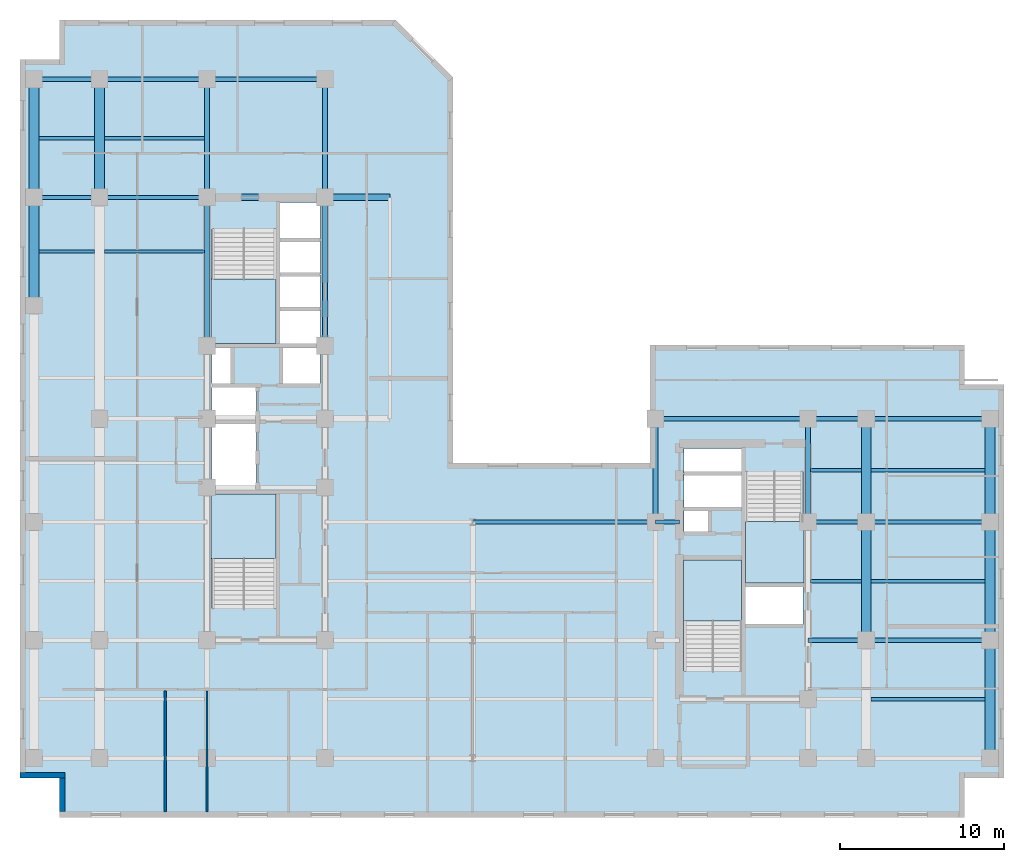
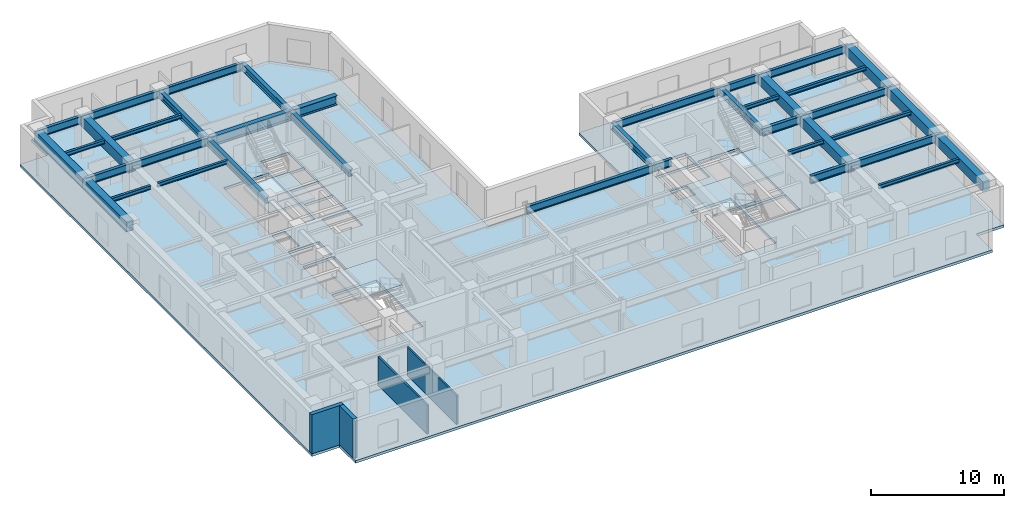
# One storey, part 2 of 10: 38 beams, 5 slabs, 4 walls, 4 elements without a shape of their own.
"""IFC4 building model written with IfcOpenShell, lengths in metres."""

import ifcopenshell
import ifcopenshell.guid

model = None  # the IFC model being written
_history = None  # IfcOwnerHistory: only IFC2X3 demands one
_inside = {}  # id of a spatial element -> (the spatial element, [elements in it])
_under = {}  # id of a project, library or spatial element -> (it, [spatial elements below it])
_declared = {}  # id of a project -> (the project, [libraries it declares])
_typed = {}  # id of a type object -> (the type object, [elements of that type])
_made_of = {}  # id of a material, layer set ... -> (it, [elements and type objects made of it])


def new_model(schema):
    """Start an empty IFC model of exactly this schema.

    Asked for "IFC4X3", IfcOpenShell would pick the latest addendum, in which some entities
    have other attributes; the version numbers below select the first issue.
    IFC2X3 requires an IfcOwnerHistory on every rooted entity: one is made here for all.
    """
    global model, _history
    if schema == "IFC4X3":
        model = ifcopenshell.file(schema_version=(4, 3, 0, 0))
    else:
        model = ifcopenshell.file(schema=schema)
    _inside.clear()
    _under.clear()
    _declared.clear()
    _typed.clear()
    _made_of.clear()
    _history = None
    if model.schema == "IFC2X3":
        org = make("IfcOrganization", Name="unknown")
        user = make(
            "IfcPersonAndOrganization",
            ThePerson=make("IfcPerson", FamilyName="unknown"),
            TheOrganization=org,
        )
        app = make(
            "IfcApplication",
            ApplicationDeveloper=org,
            Version="unknown",
            ApplicationFullName="unknown",
            ApplicationIdentifier="unknown",
        )
        _history = make(
            "IfcOwnerHistory",
            OwningUser=user,
            OwningApplication=app,
            ChangeAction="ADDED",
            CreationDate=0,
        )
    return model


def make(cls, **values):
    """One entity of the class cls with the attributes given. An attribute that is None is left unset."""
    return model.create_entity(
        cls, **{name: value for name, value in values.items() if value is not None}
    )


def entity(cls, *values):
    """Any entity or typed value of the class cls, its attributes in the order of the schema. None: left unset."""
    e = model.create_entity(cls)
    for i, value in enumerate(values):
        if value is not None:
            e[i] = value
    return e


def rooted(cls, **values):
    """An entity with a GlobalId (a new one), such as an element, a storey or a relation."""
    return make(cls, GlobalId=ifcopenshell.guid.new(), OwnerHistory=_history, **values)


def si_unit(unit_type, name, prefix=None):
    """IfcSIUnit, for example si_unit("LENGTHUNIT", "METRE", prefix="MILLI")."""
    return make("IfcSIUnit", UnitType=unit_type, Prefix=prefix, Name=name)


def converted_unit(unit_type, name, factor, base, dimensions=None, offset=None):
    """IfcConversionBasedUnit, such as the inch: factor (a typed value) times the base unit."""
    return make(
        "IfcConversionBasedUnit"
        if offset is None
        else "IfcConversionBasedUnitWithOffset",
        ConversionOffset=offset,
        Dimensions=None
        if dimensions is None
        else entity("IfcDimensionalExponents", *dimensions),
        UnitType=unit_type,
        Name=name,
        ConversionFactor=make(
            "IfcMeasureWithUnit", ValueComponent=factor, UnitComponent=base
        ),
    )


def assignment(units):
    """IfcUnitAssignment: the units of a project."""
    return None if units is None else make("IfcUnitAssignment", Units=units)


def point(xyz):
    """IfcCartesianPoint."""
    return None if xyz is None else make("IfcCartesianPoint", Coordinates=xyz)


def direction(xyz):
    """IfcDirection."""
    return None if xyz is None else make("IfcDirection", DirectionRatios=xyz)


def frame(location, z_axis=None, x_axis=None):
    """IfcAxis2Placement3D, a coordinate frame: its origin and axes. An axis left out is left unset."""
    return make(
        "IfcAxis2Placement3D",
        Location=point(location),
        Axis=direction(z_axis),
        RefDirection=direction(x_axis),
    )


def frame_2d(location, x_axis=None):
    """IfcAxis2Placement2D, a coordinate frame in the plane: its origin and x axis."""
    return make(
        "IfcAxis2Placement2D", Location=point(location), RefDirection=direction(x_axis)
    )


def origin_with_axes():
    """The frame at (0, 0, 0) with the z axis (0, 0, 1) and the x axis (1, 0, 0) written out."""
    return frame((0.0, 0.0, 0.0), z_axis=(0.0, 0.0, 1.0), x_axis=(1.0, 0.0, 0.0))


def origin_2d_with_axis():
    """The frame at (0, 0) in the plane with the x axis (1, 0) written out."""
    return frame_2d((0.0, 0.0), x_axis=(1.0, 0.0))


def place(relative_to, where):
    """IfcLocalPlacement: puts the frame where relative to a parent placement (None: the world)."""
    return make(
        "IfcLocalPlacement", PlacementRelTo=relative_to, RelativePlacement=where
    )


def context(
    kind, dimensions, precision=None, world=None, true_north=None, identifier=None
):
    """IfcGeometricRepresentationContext, for example the 3D "Model" context."""
    return make(
        "IfcGeometricRepresentationContext",
        ContextIdentifier=identifier,
        ContextType=kind,
        CoordinateSpaceDimension=dimensions,
        Precision=precision,
        WorldCoordinateSystem=world,
        TrueNorth=true_north,
    )


def subcontext(parent, identifier, kind, view, scale=None):
    """IfcGeometricRepresentationSubContext, for example "Body" below "Model"."""
    return make(
        "IfcGeometricRepresentationSubContext",
        ContextIdentifier=identifier,
        ContextType=kind,
        ParentContext=parent,
        TargetScale=scale,
        TargetView=view,
    )


def project(units=None, contexts=None):
    """IfcProject with its units and contexts."""
    return rooted(
        "IfcProject",
        Name="project",
        RepresentationContexts=contexts,
        UnitsInContext=assignment(units),
    )


def spatial(cls, under=None, at=None, **own):
    """A site, building, storey or space (cls), placed at a placement, below another one or the project."""
    s = rooted(cls, ObjectPlacement=at, **own)
    if under is not None:
        _under.setdefault(under.id(), (under, []))[1].append(s)
    return s


def polyline(points):
    """IfcPolyline through the points."""
    return make("IfcPolyline", Points=[point(p) for p in points])


def profile(cls, at=None, kind="AREA", **sizes):
    """A parametric profile (cls). Its sizes go by their IFC names, for example OverallWidth=200.0."""
    return make(cls, ProfileType=kind, Position=at, **sizes)


def rectangle(**sizes):
    """IfcRectangleProfileDef."""
    return profile("IfcRectangleProfileDef", **sizes)


def i_section(**sizes):
    """IfcIShapeProfileDef."""
    return profile("IfcIShapeProfileDef", **sizes)


def outline(outer, holes=None, kind="AREA"):
    """IfcArbitraryClosedProfileDef: a profile drawn as a closed curve; with holes, ...WithVoids."""
    if holes is None:
        return make("IfcArbitraryClosedProfileDef", ProfileType=kind, OuterCurve=outer)
    return make(
        "IfcArbitraryProfileDefWithVoids",
        ProfileType=kind,
        OuterCurve=outer,
        InnerCurves=holes,
    )


def extrude(swept, where, along, depth):
    """IfcExtrudedAreaSolid: the profile swept, set in the frame where, extruded along a direction by depth."""
    return make(
        "IfcExtrudedAreaSolid",
        SweptArea=swept,
        Position=where,
        ExtrudedDirection=direction(along),
        Depth=depth,
    )


def shape(context_of_items, identifier, shape_type, items):
    """IfcShapeRepresentation: the items that make up one representation, for example the "Body"."""
    return make(
        "IfcShapeRepresentation",
        ContextOfItems=context_of_items,
        RepresentationIdentifier=identifier,
        RepresentationType=shape_type,
        Items=items,
    )


def material(Name=None, Category=None):
    """IfcMaterial."""
    return make("IfcMaterial", Name=Name, Category=Category)


def layer(
    of_material, thickness, ventilated=None, Name=None, Category=None, Priority=None
):
    """IfcMaterialLayer: one layer of a wall or slab, of a material (None: an air gap)."""
    return make(
        "IfcMaterialLayer",
        Material=of_material,
        LayerThickness=thickness,
        IsVentilated=ventilated,
        Name=Name,
        Category=Category,
        Priority=Priority,
    )


def layer_set(layers, Name=None):
    """IfcMaterialLayerSet."""
    return make("IfcMaterialLayerSet", MaterialLayers=layers, LayerSetName=Name)


def material_profile(
    of_material, cross_section, Name=None, Category=None, Priority=None
):
    """IfcMaterialProfile: a cross section and its material."""
    return make(
        "IfcMaterialProfile",
        Name=Name,
        Material=of_material,
        Profile=cross_section,
        Priority=Priority,
        Category=Category,
    )


def profile_set(profiles, Name=None, composite=None):
    """IfcMaterialProfileSet."""
    return make(
        "IfcMaterialProfileSet",
        Name=Name,
        MaterialProfiles=profiles,
        CompositeProfile=composite,
    )


def made_of(thing, what):
    """Note that an element or type object is made of a material, layer set ...; save() writes the relation."""
    if what is not None:
        _made_of.setdefault(what.id(), (what, []))[1].append(thing)
    return thing


def type_object(cls, material=None, **own):
    """A type object (cls), such as IfcWallType, which elements share."""
    return made_of(rooted(cls, **own), material)


def element(
    cls,
    number,
    at=None,
    inside=None,
    cuts=None,
    type_object=None,
    material=None,
    context=None,
    identifier="Body",
    shape_type=None,
    held_by="IfcProductDefinitionShape",
    body=None,
    shapes=None,
    **own,
):
    """One element of the class cls, such as IfcWall. Its Tag is "e" and its number.

    at: its placement. inside: the storey or other place that contains it. cuts: it is an
    opening in that element (IfcRelVoidsElement). A single representation is given by context,
    identifier, shape_type and body (its items); several are given by shapes. held_by: the class
    of the entity that holds the representations. save() writes the other relations.
    """
    e = rooted(cls, Tag="e%d" % number, ObjectPlacement=at, **own)
    if body is not None:
        shapes = [shape(context, identifier, shape_type, body)]
    if shapes is not None:
        e.Representation = make(held_by, Representations=shapes)
    if inside is not None:
        _inside.setdefault(inside.id(), (inside, []))[1].append(e)
    if cuts is not None:
        rooted(
            "IfcRelVoidsElement", RelatingBuildingElement=cuts, RelatedOpeningElement=e
        )
    if type_object is not None:
        _typed.setdefault(type_object.id(), (type_object, []))[1].append(e)
    return made_of(e, material)


def aggregate(whole, parts):
    """IfcRelAggregates: a whole, such as a stair, and the parts it consists of."""
    return rooted("IfcRelAggregates", RelatingObject=whole, RelatedObjects=parts)


def save(model, path):
    """Write the relations noted so far, then the file.

    IfcRelAggregates (storeys below a building ...), IfcRelContainedInSpatialStructure (elements
    in a storey), IfcRelDefinesByType, IfcRelAssociatesMaterial and IfcRelDeclares: one each for
    every whole, place, type object, material and project.
    """
    for whole, parts in _under.values():
        aggregate(whole, parts)
    for where, things in _inside.values():
        rooted(
            "IfcRelContainedInSpatialStructure",
            RelatedElements=things,
            RelatingStructure=where,
        )
    for kind, things in _typed.values():
        rooted("IfcRelDefinesByType", RelatedObjects=things, RelatingType=kind)
    for what, things in _made_of.values():
        rooted("IfcRelAssociatesMaterial", RelatedObjects=things, RelatingMaterial=what)
    for by, libraries in _declared.values():
        rooted("IfcRelDeclares", RelatingContext=by, RelatedDefinitions=libraries)
    model.write(path)


model = new_model("IFC4")

# Units and contexts
model_context = context("Model", 3, precision=1e-05, world=origin_with_axes(), true_north=direction((0.0, 1.0)))
body_context = subcontext(model_context, "Body", "Model", "MODEL_VIEW")
ifc_project = project(units=[si_unit("LENGTHUNIT", "METRE"), si_unit("AREAUNIT", "SQUARE_METRE"), si_unit("VOLUMEUNIT", "CUBIC_METRE"), converted_unit("PLANEANGLEUNIT", "DEGREE", entity("IfcPlaneAngleMeasure", 0.017453292519943295), si_unit("PLANEANGLEUNIT", "RADIAN"), dimensions=[0, 0, 0, 0, 0, 0, 0]), si_unit("MASSUNIT", "GRAM", prefix="KILO"), si_unit("THERMODYNAMICTEMPERATUREUNIT", "KELVIN")], contexts=[model_context])

# Site, building, storey
site_placement = place(None, origin_with_axes())
site = spatial("IfcSite", under=ifc_project, at=site_placement, CompositionType="ELEMENT")
building_placement = place(site_placement, origin_with_axes())
building = spatial("IfcBuilding", under=site, at=building_placement, Name="Varnlund Millrace Tower", CompositionType="ELEMENT")
storey_placement = place(building_placement, frame((0.0, 0.0, 183.6), z_axis=(0.0, 0.0, 1.0), x_axis=(1.0, 0.0, 0.0)))
storey = spatial("IfcBuildingStorey", under=building, at=storey_placement, Name="L45", CompositionType="ELEMENT", Elevation=183.6)

# Beams
ifc_material_1 = material(Name="Steel ASTM A992 Grade 50", Category="steel")
ifc_material_profile_1 = material_profile(ifc_material_1, i_section(OverallWidth=0.328, OverallDepth=0.628, WebThickness=0.0165, FlangeThickness=0.0277, FilletRadius=0.018, at=origin_2d_with_axis()), Name="Steel ASTM A992 Grade 50")
ifc_profile_set_1 = profile_set([ifc_material_profile_1], Name="Steel ASTM A992 Grade 50")
beam_type_1 = type_object("IfcBeamType", Name="Type-Girder-W24X146", PredefinedType="USERDEFINED", material=ifc_profile_set_1)
beam_1_placement = place(storey_placement, frame((11.4, 28.75, 3.286), z_axis=(0.0, 1.0, 0.0), x_axis=(-1.0, 0.0, 0.0)))
element("IfcBeam", 1, at=beam_1_placement, inside=storey, type_object=beam_type_1, Name="Type-Girder-W24X146", ObjectType="GIRDER", PredefinedType="USERDEFINED", context=body_context, shape_type="SweptSolid", body=[
    extrude(i_section(OverallWidth=0.328, OverallDepth=0.628, WebThickness=0.0165, FlangeThickness=0.0277, FilletRadius=0.018, at=origin_2d_with_axis()), origin_with_axes(), (0.0, 0.0, 1.0), 9.05),
])
beam_2_placement = place(storey_placement, frame((11.4, 37.8, 3.286), z_axis=(0.0, 1.0, 0.0), x_axis=(-1.0, 0.0, 0.0)))
element("IfcBeam", 2, at=beam_2_placement, inside=storey, type_object=beam_type_1, Name="Type-Girder-W24X146", ObjectType="GIRDER", PredefinedType="USERDEFINED", context=body_context, shape_type="SweptSolid", body=[
    extrude(i_section(OverallWidth=0.328, OverallDepth=0.628, WebThickness=0.0165, FlangeThickness=0.0277, FilletRadius=0.018, at=origin_2d_with_axis()), origin_with_axes(), (0.0, 0.0, 1.0), 7.2),
])
beam_3_placement = place(storey_placement, frame((18.6, 28.75, 3.286), z_axis=(0.0, 1.0, 0.0), x_axis=(-1.0, 0.0, 0.0)))
element("IfcBeam", 3, at=beam_3_placement, inside=storey, type_object=beam_type_1, Name="Type-Girder-W24X146", ObjectType="GIRDER", PredefinedType="USERDEFINED", context=body_context, shape_type="SweptSolid", body=[
    extrude(i_section(OverallWidth=0.328, OverallDepth=0.628, WebThickness=0.0165, FlangeThickness=0.0277, FilletRadius=0.018, at=origin_2d_with_axis()), origin_with_axes(), (0.0, 0.0, 1.0), 9.05),
])
beam_4_placement = place(storey_placement, frame((18.6, 37.8, 3.286), z_axis=(0.0, 1.0, 0.0), x_axis=(-1.0, 0.0, 0.0)))
element("IfcBeam", 4, at=beam_4_placement, inside=storey, type_object=beam_type_1, Name="Type-Girder-W24X146", ObjectType="GIRDER", PredefinedType="USERDEFINED", context=body_context, shape_type="SweptSolid", body=[
    extrude(i_section(OverallWidth=0.328, OverallDepth=0.628, WebThickness=0.0165, FlangeThickness=0.0277, FilletRadius=0.018, at=origin_2d_with_axis()), origin_with_axes(), (0.0, 0.0, 1.0), 7.2),
])
for number, where, z_axis, x_axis, name in (
    (5, (38.75, 18.0, 3.286), (0.0, 1.0, 0.0), (-1.0, 0.0, 0.0), "Type-Girder-W24X146"),
    (6, (48.05, 18.0, 3.286), (0.0, 1.0, 0.0), (-1.0, 0.0, 0.0), "Type-Girder-W24X146"),
):
    element("IfcBeam", number, at=place(storey_placement, frame(where, z_axis=z_axis, x_axis=x_axis)), inside=storey, type_object=beam_type_1, Name=name, ObjectType="GIRDER", PredefinedType="USERDEFINED", context=body_context, shape_type="SweptSolid", body=[
        extrude(i_section(OverallWidth=0.328, OverallDepth=0.628, WebThickness=0.0165, FlangeThickness=0.0277, FilletRadius=0.018, at=origin_2d_with_axis()), origin_with_axes(), (0.0, 0.0, 1.0), 6.3),
    ])
ifc_material_profile_2 = material_profile(ifc_material_1, i_section(OverallWidth=0.256, OverallDepth=0.693, WebThickness=0.0145, FlangeThickness=0.0236, FilletRadius=0.018, at=origin_2d_with_axis()), Name="Steel ASTM A992 Grade 50")
ifc_profile_set_2 = profile_set([ifc_material_profile_2], Name="Steel ASTM A992 Grade 50")
beam_type_2 = type_object("IfcBeamType", Name="Type-Girder-W27X114", PredefinedType="USERDEFINED", material=ifc_profile_set_2)
beam_5_placement = place(storey_placement, frame((48.05, 10.8, 3.2535), z_axis=(1.0, 0.0, 0.0), x_axis=(0.0, 1.0, 0.0)))
element("IfcBeam", 7, at=beam_5_placement, inside=storey, type_object=beam_type_2, Name="Type-Girder-W27X114", ObjectType="GIRDER", PredefinedType="USERDEFINED", context=body_context, shape_type="SweptSolid", body=[
    extrude(i_section(OverallWidth=0.256, OverallDepth=0.693, WebThickness=0.0145, FlangeThickness=0.0236, FilletRadius=0.018, at=origin_2d_with_axis()), origin_with_axes(), (0.0, 0.0, 1.0), 3.55),
])
beam_6_placement = place(storey_placement, frame((51.6, 10.8, 3.2535), z_axis=(1.0, 0.0, 0.0), x_axis=(0.0, 1.0, 0.0)))
element("IfcBeam", 8, at=beam_6_placement, inside=storey, type_object=beam_type_2, Name="Type-Girder-W27X114", ObjectType="GIRDER", PredefinedType="USERDEFINED", context=body_context, shape_type="SweptSolid", body=[
    extrude(i_section(OverallWidth=0.256, OverallDepth=0.693, WebThickness=0.0145, FlangeThickness=0.0236, FilletRadius=0.018, at=origin_2d_with_axis()), origin_with_axes(), (0.0, 0.0, 1.0), 7.55),
])
beam_7_placement = place(storey_placement, frame((27.6, 18.0, 3.2535), z_axis=(1.0, 0.0, 0.0), x_axis=(0.0, 1.0, 0.0)))
element("IfcBeam", 9, at=beam_7_placement, inside=storey, type_object=beam_type_2, Name="Type-Girder-W27X114", ObjectType="GIRDER", PredefinedType="USERDEFINED", context=body_context, shape_type="SweptSolid", body=[
    extrude(i_section(OverallWidth=0.256, OverallDepth=0.693, WebThickness=0.0145, FlangeThickness=0.0236, FilletRadius=0.018, at=origin_2d_with_axis()), origin_with_axes(), (0.0, 0.0, 1.0), 11.15),
])
beam_8_placement = place(storey_placement, frame((38.75, 18.0, 3.2535), z_axis=(1.0, 0.0, 0.0), x_axis=(0.0, 1.0, 0.0)))
element("IfcBeam", 10, at=beam_8_placement, inside=storey, type_object=beam_type_2, Name="Type-Girder-W27X114", ObjectType="GIRDER", PredefinedType="USERDEFINED", context=body_context, shape_type="SweptSolid", body=[
    extrude(i_section(OverallWidth=0.256, OverallDepth=0.693, WebThickness=0.0145, FlangeThickness=0.0236, FilletRadius=0.018, at=origin_2d_with_axis()), origin_with_axes(), (0.0, 0.0, 1.0), 1.45),
])
beam_9_placement = place(storey_placement, frame((48.05, 18.0, 3.2535), z_axis=(1.0, 0.0, 0.0), x_axis=(0.0, 1.0, 0.0)))
element("IfcBeam", 11, at=beam_9_placement, inside=storey, type_object=beam_type_2, Name="Type-Girder-W27X114", ObjectType="GIRDER", PredefinedType="USERDEFINED", context=body_context, shape_type="SweptSolid", body=[
    extrude(i_section(OverallWidth=0.256, OverallDepth=0.693, WebThickness=0.0145, FlangeThickness=0.0236, FilletRadius=0.018, at=origin_2d_with_axis()), origin_with_axes(), (0.0, 0.0, 1.0), 3.55),
])
beam_10_placement = place(storey_placement, frame((51.6, 18.0, 3.2535), z_axis=(1.0, 0.0, 0.0), x_axis=(0.0, 1.0, 0.0)))
element("IfcBeam", 12, at=beam_10_placement, inside=storey, type_object=beam_type_2, Name="Type-Girder-W27X114", ObjectType="GIRDER", PredefinedType="USERDEFINED", context=body_context, shape_type="SweptSolid", body=[
    extrude(i_section(OverallWidth=0.256, OverallDepth=0.693, WebThickness=0.0145, FlangeThickness=0.0236, FilletRadius=0.018, at=origin_2d_with_axis()), origin_with_axes(), (0.0, 0.0, 1.0), 7.55),
])
beam_11_placement = place(storey_placement, frame((38.75, 24.3, 3.2535), z_axis=(1.0, 0.0, 0.0), x_axis=(0.0, 1.0, 0.0)))
element("IfcBeam", 13, at=beam_11_placement, inside=storey, type_object=beam_type_2, Name="Type-Girder-W27X114", ObjectType="GIRDER", PredefinedType="USERDEFINED", context=body_context, shape_type="SweptSolid", body=[
    extrude(i_section(OverallWidth=0.256, OverallDepth=0.693, WebThickness=0.0145, FlangeThickness=0.0236, FilletRadius=0.018, at=origin_2d_with_axis()), origin_with_axes(), (0.0, 0.0, 1.0), 9.3),
])
beam_12_placement = place(storey_placement, frame((48.05, 24.3, 3.2535), z_axis=(1.0, 0.0, 0.0), x_axis=(0.0, 1.0, 0.0)))
element("IfcBeam", 14, at=beam_12_placement, inside=storey, type_object=beam_type_2, Name="Type-Girder-W27X114", ObjectType="GIRDER", PredefinedType="USERDEFINED", context=body_context, shape_type="SweptSolid", body=[
    extrude(i_section(OverallWidth=0.256, OverallDepth=0.693, WebThickness=0.0145, FlangeThickness=0.0236, FilletRadius=0.018, at=origin_2d_with_axis()), origin_with_axes(), (0.0, 0.0, 1.0), 3.55),
])
beam_13_placement = place(storey_placement, frame((51.6, 24.3, 3.2535), z_axis=(1.0, 0.0, 0.0), x_axis=(0.0, 1.0, 0.0)))
element("IfcBeam", 15, at=beam_13_placement, inside=storey, type_object=beam_type_2, Name="Type-Girder-W27X114", ObjectType="GIRDER", PredefinedType="USERDEFINED", context=body_context, shape_type="SweptSolid", body=[
    extrude(i_section(OverallWidth=0.256, OverallDepth=0.693, WebThickness=0.0145, FlangeThickness=0.0236, FilletRadius=0.018, at=origin_2d_with_axis()), origin_with_axes(), (0.0, 0.0, 1.0), 7.55),
])
beam_14_placement = place(storey_placement, frame((0.85, 37.8, 3.2535), z_axis=(1.0, 0.0, 0.0), x_axis=(0.0, 1.0, 0.0)))
element("IfcBeam", 16, at=beam_14_placement, inside=storey, type_object=beam_type_2, Name="Type-Girder-W27X114", ObjectType="GIRDER", PredefinedType="USERDEFINED", context=body_context, shape_type="SweptSolid", body=[
    extrude(i_section(OverallWidth=0.256, OverallDepth=0.693, WebThickness=0.0145, FlangeThickness=0.0236, FilletRadius=0.018, at=origin_2d_with_axis()), origin_with_axes(), (0.0, 0.0, 1.0), 4.0),
])
beam_15_placement = place(storey_placement, frame((4.85, 37.8, 3.2535), z_axis=(1.0, 0.0, 0.0), x_axis=(0.0, 1.0, 0.0)))
element("IfcBeam", 17, at=beam_15_placement, inside=storey, type_object=beam_type_2, Name="Type-Girder-W27X114", ObjectType="GIRDER", PredefinedType="USERDEFINED", context=body_context, shape_type="SweptSolid", body=[
    extrude(i_section(OverallWidth=0.256, OverallDepth=0.693, WebThickness=0.0145, FlangeThickness=0.0236, FilletRadius=0.018, at=origin_2d_with_axis()), origin_with_axes(), (0.0, 0.0, 1.0), 6.55),
])
beam_16_placement = place(storey_placement, frame((0.85, 45.0, 3.2535), z_axis=(1.0, 0.0, 0.0), x_axis=(0.0, 1.0, 0.0)))
element("IfcBeam", 18, at=beam_16_placement, inside=storey, type_object=beam_type_2, Name="Type-Girder-W27X114", ObjectType="GIRDER", PredefinedType="USERDEFINED", context=body_context, shape_type="SweptSolid", body=[
    extrude(i_section(OverallWidth=0.256, OverallDepth=0.693, WebThickness=0.0145, FlangeThickness=0.0236, FilletRadius=0.018, at=origin_2d_with_axis()), origin_with_axes(), (0.0, 0.0, 1.0), 4.0),
])
beam_17_placement = place(storey_placement, frame((4.85, 45.0, 3.2535), z_axis=(1.0, 0.0, 0.0), x_axis=(0.0, 1.0, 0.0)))
element("IfcBeam", 19, at=beam_17_placement, inside=storey, type_object=beam_type_2, Name="Type-Girder-W27X114", ObjectType="GIRDER", PredefinedType="USERDEFINED", context=body_context, shape_type="SweptSolid", body=[
    extrude(i_section(OverallWidth=0.256, OverallDepth=0.693, WebThickness=0.0145, FlangeThickness=0.0236, FilletRadius=0.018, at=origin_2d_with_axis()), origin_with_axes(), (0.0, 0.0, 1.0), 6.55),
])
beam_18_placement = place(storey_placement, frame((11.4, 45.0, 3.2535), z_axis=(1.0, 0.0, 0.0), x_axis=(0.0, 1.0, 0.0)))
element("IfcBeam", 20, at=beam_18_placement, inside=storey, type_object=beam_type_2, Name="Type-Girder-W27X114", ObjectType="GIRDER", PredefinedType="USERDEFINED", context=body_context, shape_type="SweptSolid", body=[
    extrude(i_section(OverallWidth=0.256, OverallDepth=0.693, WebThickness=0.0145, FlangeThickness=0.0236, FilletRadius=0.018, at=origin_2d_with_axis()), origin_with_axes(), (0.0, 0.0, 1.0), 7.2),
])
ifc_material_profile_3 = material_profile(ifc_material_1, i_section(OverallWidth=0.399, OverallDepth=0.855, WebThickness=0.0182, FlangeThickness=0.0292, FilletRadius=0.022, at=origin_2d_with_axis()), Name="Steel ASTM A992 Grade 50")
ifc_profile_set_3 = profile_set([ifc_material_profile_3], Name="Steel ASTM A992 Grade 50")
beam_type_3 = type_object("IfcBeamType", Name="Type-Girder-W33X201", PredefinedType="USERDEFINED", material=ifc_profile_set_3)
beam_19_placement = place(storey_placement, frame((11.4, 37.8, 3.1725), z_axis=(1.0, 0.0, 0.0), x_axis=(0.0, 1.0, 0.0)))
element("IfcBeam", 21, at=beam_19_placement, inside=storey, type_object=beam_type_3, Name="Type-Girder-W33X201", ObjectType="GIRDER", PredefinedType="USERDEFINED", context=body_context, shape_type="SweptSolid", body=[
    extrude(i_section(OverallWidth=0.399, OverallDepth=0.855, WebThickness=0.0182, FlangeThickness=0.0292, FilletRadius=0.022, at=origin_2d_with_axis()), origin_with_axes(), (0.0, 0.0, 1.0), 11.15),
])
ifc_material_profile_4 = material_profile(ifc_material_1, i_section(OverallWidth=0.204, OverallDepth=0.35, WebThickness=0.0086, FlangeThickness=0.0151, FilletRadius=0.013, at=origin_2d_with_axis()), Name="Steel ASTM A992 Grade 50")
ifc_profile_set_4 = profile_set([ifc_material_profile_4], Name="Steel ASTM A992 Grade 50")
beam_type_4 = type_object("IfcBeamType", Name="Type-Joist-W14X48", PredefinedType="JOIST", material=ifc_profile_set_4)
for number, where, z_axis, x_axis, name in (
    (22, (1.15, 34.5, 3.425), (1.0, 0.0, 0.0), (0.0, 1.0, 0.0), "Type-Joist-W14X48"),
    (23, (1.15, 41.4, 3.425), (1.0, 0.0, 0.0), (0.0, 1.0, 0.0), "Type-Joist-W14X48"),
):
    element("IfcBeam", number, at=place(storey_placement, frame(where, z_axis=z_axis, x_axis=x_axis)), inside=storey, type_object=beam_type_4, Name=name, PredefinedType="JOIST", context=body_context, shape_type="SweptSolid", body=[
        extrude(i_section(OverallWidth=0.204, OverallDepth=0.35, WebThickness=0.0086, FlangeThickness=0.0151, FilletRadius=0.013, at=origin_2d_with_axis()), origin_with_axes(), (0.0, 0.0, 1.0), 3.4),
    ])
for number, where, z_axis, x_axis, name in (
    (24, (5.15, 34.5, 3.425), (1.0, 0.0, 0.0), (0.0, 1.0, 0.0), "Type-Joist-W14X48"),
    (25, (5.15, 41.4, 3.425), (1.0, 0.0, 0.0), (0.0, 1.0, 0.0), "Type-Joist-W14X48"),
):
    element("IfcBeam", number, at=place(storey_placement, frame(where, z_axis=z_axis, x_axis=x_axis)), inside=storey, type_object=beam_type_4, Name=name, PredefinedType="JOIST", context=body_context, shape_type="SweptSolid", body=[
        extrude(i_section(OverallWidth=0.204, OverallDepth=0.35, WebThickness=0.0086, FlangeThickness=0.0151, FilletRadius=0.013, at=origin_2d_with_axis()), origin_with_axes(), (0.0, 0.0, 1.0), 6.086),
    ])
for number, where, z_axis, x_axis, name in (
    (26, (48.214, 14.4, 3.425), (1.0, 0.0, 0.0), (0.0, 1.0, 0.0), "Type-Joist-W14X48"),
    (27, (48.214, 21.15, 3.425), (1.0, 0.0, 0.0), (0.0, 1.0, 0.0), "Type-Joist-W14X48"),
):
    element("IfcBeam", number, at=place(storey_placement, frame(where, z_axis=z_axis, x_axis=x_axis)), inside=storey, type_object=beam_type_4, Name=name, PredefinedType="JOIST", context=body_context, shape_type="SweptSolid", body=[
        extrude(i_section(OverallWidth=0.204, OverallDepth=0.35, WebThickness=0.0086, FlangeThickness=0.0151, FilletRadius=0.013, at=origin_2d_with_axis()), origin_with_axes(), (0.0, 0.0, 1.0), 3.086),
    ])
for number, where, z_axis, x_axis, name in (
    (28, (51.9, 7.2, 3.425), (1.0, 0.0, 0.0), (0.0, 1.0, 0.0), "Type-Joist-W14X48"),
    (29, (51.9, 14.4, 3.425), (1.0, 0.0, 0.0), (0.0, 1.0, 0.0), "Type-Joist-W14X48"),
    (30, (51.9, 21.15, 3.425), (1.0, 0.0, 0.0), (0.0, 1.0, 0.0), "Type-Joist-W14X48"),
):
    element("IfcBeam", number, at=place(storey_placement, frame(where, z_axis=z_axis, x_axis=x_axis)), inside=storey, type_object=beam_type_4, Name=name, PredefinedType="JOIST", context=body_context, shape_type="SweptSolid", body=[
        extrude(i_section(OverallWidth=0.204, OverallDepth=0.35, WebThickness=0.0086, FlangeThickness=0.0151, FilletRadius=0.013, at=origin_2d_with_axis()), origin_with_axes(), (0.0, 0.0, 1.0), 6.95),
    ])
ifc_material_2 = material(Name="Concrete C70/85", Category="concrete")
ifc_material_profile_5 = material_profile(ifc_material_2, rectangle(XDim=0.6, YDim=0.9, at=origin_2d_with_axis()), Name="Concrete C70/85")
ifc_profile_set_5 = profile_set([ifc_material_profile_5], Name="Concrete C70/85")
beam_type_5 = type_object("IfcBeamType", Name="Type-Spandrel-RC600X900", PredefinedType="SPANDREL", material=ifc_profile_set_5)
beam_20_placement = place(storey_placement, frame((0.85, 31.2, 3.15), z_axis=(0.0, 1.0, 0.0), x_axis=(-1.0, 0.0, 0.0)))
element("IfcBeam", 31, at=beam_20_placement, inside=storey, type_object=beam_type_5, Name="Type-Spandrel-RC600X900", PredefinedType="SPANDREL", context=body_context, shape_type="SweptSolid", body=[
    extrude(rectangle(XDim=0.6, YDim=0.9, at=origin_2d_with_axis()), origin_with_axes(), (0.0, 0.0, 1.0), 6.6),
])
for number, where, z_axis, x_axis, name in (
    (32, (0.85, 37.8, 3.15), (0.0, 1.0, 0.0), (-1.0, 0.0, 0.0), "Type-Spandrel-RC600X900"),
    (33, (4.85, 37.8, 3.15), (0.0, 1.0, 0.0), (-1.0, 0.0, 0.0), "Type-Spandrel-RC600X900"),
    (34, (51.6, 10.8, 3.15), (0.0, 1.0, 0.0), (-1.0, 0.0, 0.0), "Type-Spandrel-RC600X900"),
):
    element("IfcBeam", number, at=place(storey_placement, frame(where, z_axis=z_axis, x_axis=x_axis)), inside=storey, type_object=beam_type_5, Name=name, PredefinedType="SPANDREL", context=body_context, shape_type="SweptSolid", body=[
        extrude(rectangle(XDim=0.6, YDim=0.9, at=origin_2d_with_axis()), origin_with_axes(), (0.0, 0.0, 1.0), 7.2),
    ])
beam_21_placement = place(storey_placement, frame((51.6, 18.0, 3.15), z_axis=(0.0, 1.0, 0.0), x_axis=(-1.0, 0.0, 0.0)))
element("IfcBeam", 35, at=beam_21_placement, inside=storey, type_object=beam_type_5, Name="Type-Spandrel-RC600X900", PredefinedType="SPANDREL", context=body_context, shape_type="SweptSolid", body=[
    extrude(rectangle(XDim=0.6, YDim=0.9, at=origin_2d_with_axis()), origin_with_axes(), (0.0, 0.0, 1.0), 6.3),
])
for number, where, z_axis, x_axis, name in (
    (36, (59.15, 3.6, 3.15), (0.0, 1.0, 0.0), (-1.0, 0.0, 0.0), "Type-Spandrel-RC600X900"),
    (37, (59.15, 10.8, 3.15), (0.0, 1.0, 0.0), (-1.0, 0.0, 0.0), "Type-Spandrel-RC600X900"),
):
    element("IfcBeam", number, at=place(storey_placement, frame(where, z_axis=z_axis, x_axis=x_axis)), inside=storey, type_object=beam_type_5, Name=name, PredefinedType="SPANDREL", context=body_context, shape_type="SweptSolid", body=[
        extrude(rectangle(XDim=0.6, YDim=0.9, at=origin_2d_with_axis()), origin_with_axes(), (0.0, 0.0, 1.0), 7.2),
    ])
beam_22_placement = place(storey_placement, frame((59.15, 18.0, 3.15), z_axis=(0.0, 1.0, 0.0), x_axis=(-1.0, 0.0, 0.0)))
element("IfcBeam", 38, at=beam_22_placement, inside=storey, type_object=beam_type_5, Name="Type-Spandrel-RC600X900", PredefinedType="SPANDREL", context=body_context, shape_type="SweptSolid", body=[
    extrude(rectangle(XDim=0.6, YDim=0.9, at=origin_2d_with_axis()), origin_with_axes(), (0.0, 0.0, 1.0), 6.3),
])

# Slab
ifc_material_3 = material(Name="Concrete C60/75", Category="concrete")
ifc_layer_1 = layer(ifc_material_3, 0.24, Name="Concrete C60/75")
ifc_layer_set_1 = layer_set([ifc_layer_1], Name="Concrete C60/75")
slab_type_1 = type_object("IfcSlabType", Name="Type-Deck-Plate-Typical-240", PredefinedType="FLOOR", material=ifc_layer_set_1)
slab_1_placement = place(storey_placement, frame((0.0, 0.0, -0.24), z_axis=(0.0, 0.0, 1.0), x_axis=(1.0, 0.0, 0.0)))
element("IfcSlab", 39, at=slab_1_placement, inside=storey, type_object=slab_type_1, Name="Type-Deck-Plate-Typical-240", PredefinedType="FLOOR", context=body_context, shape_type="SweptSolid", body=[
    extrude(outline(polyline([(26.394, 21.6), (26.394, 45.12), (22.914, 48.6), (2.4, 48.6), (2.4, 46.2), (0.0, 46.2), (0.0, 2.4), (2.4, 2.4), (2.4, 0.0), (57.6, 0.0), (57.6, 2.4), (60.0, 2.4), (60.0, 26.4), (57.6, 26.4), (57.6, 28.8), (38.4, 28.8), (38.4, 21.6), (26.394, 21.6)]), holes=[polyline([(15.6, 12.715), (11.7, 12.715), (11.7, 19.7), (15.6, 19.7), (15.6, 12.715)]), polyline([(14.38, 23.98), (14.38, 19.94), (11.7, 19.94), (11.7, 23.98), (14.38, 23.98)]), polyline([(14.38, 24.24), (11.7, 24.24), (11.7, 26.2), (14.38, 26.2), (14.38, 24.24)]), polyline([(12.84, 26.46), (11.7, 26.46), (11.7, 28.65), (12.84, 28.65), (12.84, 26.46)]), polyline([(18.3, 28.9), (15.84, 28.9), (15.84, 30.98), (18.3, 30.98), (18.3, 28.9)]), polyline([(18.3, 31.02), (15.84, 31.02), (15.84, 33.08), (18.3, 33.08), (18.3, 31.02)]), polyline([(15.6, 28.9), (11.7, 28.9), (11.7, 35.885), (15.6, 35.885), (15.6, 28.9)]), polyline([(18.3, 33.12), (15.84, 33.12), (15.84, 35.18), (18.3, 35.18), (18.3, 33.12)]), polyline([(44.0, 8.915), (40.5, 8.915), (40.5, 15.7), (44.0, 15.7), (44.0, 8.915)]), polyline([(47.75, 11.74), (44.25, 11.74), (44.25, 14.06), (47.75, 14.06), (47.75, 11.74)]), polyline([(47.75, 14.3), (44.25, 14.3), (44.25, 21.085), (47.75, 21.085), (47.75, 14.3)]), polyline([(41.95, 17.42), (40.5, 17.42), (40.5, 18.72), (41.95, 18.72), (41.95, 17.42)]), polyline([(44.0, 18.88), (40.5, 18.88), (40.5, 20.94), (44.0, 20.94), (44.0, 18.88)]), polyline([(44.0, 21.0), (40.5, 21.0), (40.5, 22.5), (44.0, 22.5), (44.0, 21.0)]), polyline([(16.04, 26.46), (16.04, 28.65), (18.3, 28.65), (18.3, 26.46), (16.04, 26.46)]), polyline([(15.84, 35.22), (15.84, 37.5), (18.3, 37.5), (18.3, 35.22), (15.84, 35.22)])]), origin_with_axes(), (0.0, 0.0, 1.0), 0.24),
])

# Stair, slab
ifc_material_4 = material(Name="Concrete C50/60", Category="concrete")
stair_type_1 = type_object("IfcStairType", Name="Type-Stair-Dogleg-185-390", PredefinedType="HALF_TURN_STAIR", material=ifc_material_4)
stair_1_placement = place(storey_placement, origin_with_axes())
stair_1 = element("IfcStair", 40, at=stair_1_placement, inside=storey, type_object=stair_type_1, Name="Type-Stair-Dogleg-185-390", PredefinedType="HALF_TURN_STAIR")
ifc_layer_2 = layer(ifc_material_4, 0.2, Name="Concrete C50/60")
ifc_layer_set_2 = layer_set([ifc_layer_2], Name="Concrete C50/60")
slab_type_2 = type_object("IfcSlabType", Name="Type-StairLanding-200", PredefinedType="LANDING", material=ifc_layer_set_2)
slab_2_placement = place(storey_placement, frame((0.0, 0.0, 1.75), z_axis=(0.0, 0.0, 1.0), x_axis=(1.0, 0.0, 0.0)))
slab_2 = element("IfcSlab", 41, at=slab_2_placement, type_object=slab_type_2, Name="ST-A1 landing 1", PredefinedType="LANDING", context=body_context, shape_type="SweptSolid", body=[
    extrude(outline(polyline([(15.6, 15.78), (15.6, 19.7), (11.65, 19.7), (11.65, 15.78), (15.6, 15.78)])), origin_with_axes(), (0.0, 0.0, 1.0), 0.2),
])
aggregate(stair_1, [slab_2])

stair_2_placement = place(storey_placement, origin_with_axes())
stair_2 = element("IfcStair", 42, at=stair_2_placement, inside=storey, type_object=stair_type_1, Name="Type-Stair-Dogleg-185-390", PredefinedType="HALF_TURN_STAIR")
slab_3_placement = place(storey_placement, frame((0.0, 0.0, 1.75), z_axis=(0.0, 0.0, 1.0), x_axis=(1.0, 0.0, 0.0)))
slab_3 = element("IfcSlab", 43, at=slab_3_placement, type_object=slab_type_2, Name="ST-A2 landing 1", PredefinedType="LANDING", context=body_context, shape_type="SweptSolid", body=[
    extrude(outline(polyline([(11.65, 32.82), (11.65, 28.9), (15.6, 28.9), (15.6, 32.82), (11.65, 32.82)])), origin_with_axes(), (0.0, 0.0, 1.0), 0.2),
])
aggregate(stair_2, [slab_3])

stair_type_2 = type_object("IfcStairType", Name="Type-Stair-Dogleg-165-390", PredefinedType="HALF_TURN_STAIR", material=ifc_material_4)
stair_3_placement = place(storey_placement, origin_with_axes())
stair_3 = element("IfcStair", 44, at=stair_3_placement, inside=storey, type_object=stair_type_2, Name="Type-Stair-Dogleg-165-390", PredefinedType="HALF_TURN_STAIR")
slab_4_placement = place(storey_placement, frame((0.0, 0.0, 1.75), z_axis=(0.0, 0.0, 1.0), x_axis=(1.0, 0.0, 0.0)))
slab_4 = element("IfcSlab", 45, at=slab_4_placement, type_object=slab_type_2, Name="ST-B1 landing 1", PredefinedType="LANDING", context=body_context, shape_type="SweptSolid", body=[
    extrude(outline(polyline([(44.0, 11.98), (44.0, 15.7), (40.45, 15.7), (40.45, 11.98), (44.0, 11.98)])), origin_with_axes(), (0.0, 0.0, 1.0), 0.2),
])
aggregate(stair_3, [slab_4])

stair_4_placement = place(storey_placement, origin_with_axes())
stair_4 = element("IfcStair", 46, at=stair_4_placement, inside=storey, type_object=stair_type_2, Name="Type-Stair-Dogleg-165-390", PredefinedType="HALF_TURN_STAIR")
slab_5_placement = place(storey_placement, frame((0.0, 0.0, 1.75), z_axis=(0.0, 0.0, 1.0), x_axis=(1.0, 0.0, 0.0)))
slab_5 = element("IfcSlab", 47, at=slab_5_placement, type_object=slab_type_2, Name="ST-B2 landing 1", PredefinedType="LANDING", context=body_context, shape_type="SweptSolid", body=[
    extrude(outline(polyline([(44.25, 18.02), (44.25, 14.3), (47.8, 14.3), (47.8, 18.02), (44.25, 18.02)])), origin_with_axes(), (0.0, 0.0, 1.0), 0.2),
])
aggregate(stair_4, [slab_5])

# Walls
ifc_material_5 = material(Name="Precast concrete C50/60", Category="concrete")
ifc_layer_3 = layer(ifc_material_5, 0.34, Name="Precast concrete C50/60")
ifc_layer_set_3 = layer_set([ifc_layer_3], Name="Precast concrete C50/60")
wall_type_1 = type_object("IfcWallType", Name="Type-ExtWall-Precast-Upper-340", PredefinedType="SOLIDWALL", material=ifc_layer_set_3)
wall_1_placement = place(storey_placement, frame((2.57, 0.34, 0.0), z_axis=(0.0, 0.0, 1.0), x_axis=(0.0, 1.0, 0.0)))
element("IfcWall", 48, at=wall_1_placement, inside=storey, type_object=wall_type_1, Name="Type-ExtWall-Precast-Upper-340", PredefinedType="SOLIDWALL", context=body_context, shape_type="SweptSolid", body=[
    extrude(outline(polyline([(0.0, -0.17), (2.06, -0.17), (2.06, 0.17), (0.0, 0.17), (0.0, -0.17)])), origin_with_axes(), (0.0, 0.0, 1.0), 3.6),
])
wall_2_placement = place(storey_placement, frame((2.74, 2.57, 0.0), z_axis=(0.0, 0.0, 1.0), x_axis=(-1.0, 0.0, 0.0)))
element("IfcWall", 49, at=wall_2_placement, inside=storey, type_object=wall_type_1, Name="Type-ExtWall-Precast-Upper-340", PredefinedType="SOLIDWALL", context=body_context, shape_type="SweptSolid", body=[
    extrude(outline(polyline([(0.0, -0.17), (2.74, -0.17), (2.74, 0.17), (0.0, 0.17), (0.0, -0.17)])), origin_with_axes(), (0.0, 0.0, 1.0), 3.6),
])
ifc_material_6 = material(Name="Acoustic STC-50 gypsum board partition", Category="gypsum")
ifc_layer_4 = layer(ifc_material_6, 0.15, Name="Acoustic STC-50 gypsum board partition")
ifc_layer_set_4 = layer_set([ifc_layer_4], Name="Acoustic STC-50 gypsum board partition")
wall_type_2 = type_object("IfcWallType", Name="Type-Partition-Demising-150", PredefinedType="PARTITIONING", material=ifc_layer_set_4)
wall_3_placement = place(storey_placement, frame((8.867, 0.335, 0.0), z_axis=(0.0, 0.0, 1.0), x_axis=(0.0, 1.0, 0.0)))
element("IfcWall", 50, at=wall_3_placement, inside=storey, type_object=wall_type_2, Name="Type-Partition-Demising-150", PredefinedType="PARTITIONING", context=body_context, shape_type="SweptSolid", body=[
    extrude(outline(polyline([(0.0, -0.075), (7.365, -0.075), (7.365, 0.075), (0.0, 0.075), (0.0, -0.075)])), origin_with_axes(), (0.0, 0.0, 1.0), 2.64),
])
ifc_material_7 = material(Name="Gypsum board tenant partition", Category="gypsum")
ifc_layer_5 = layer(ifc_material_7, 0.125, Name="Gypsum board tenant partition")
ifc_layer_set_5 = layer_set([ifc_layer_5], Name="Gypsum board tenant partition")
wall_type_3 = type_object("IfcWallType", Name="Type-Partition-Tenant-125", PredefinedType="PARTITIONING", material=ifc_layer_set_5)
wall_4_placement = place(storey_placement, frame((11.4, 0.335, 0.0), z_axis=(0.0, 0.0, 1.0), x_axis=(0.0, 1.0, 0.0)))
element("IfcWall", 51, at=wall_4_placement, inside=storey, type_object=wall_type_3, Name="Type-Partition-Tenant-125", PredefinedType="PARTITIONING", context=body_context, shape_type="SweptSolid", body=[
    extrude(outline(polyline([(0.0, -0.0625), (7.365, -0.0625), (7.365, 0.0625), (0.0, 0.0625), (0.0, -0.0625)])), origin_with_axes(), (0.0, 0.0, 1.0), 2.64),
])

save(model, "model.ifc")
